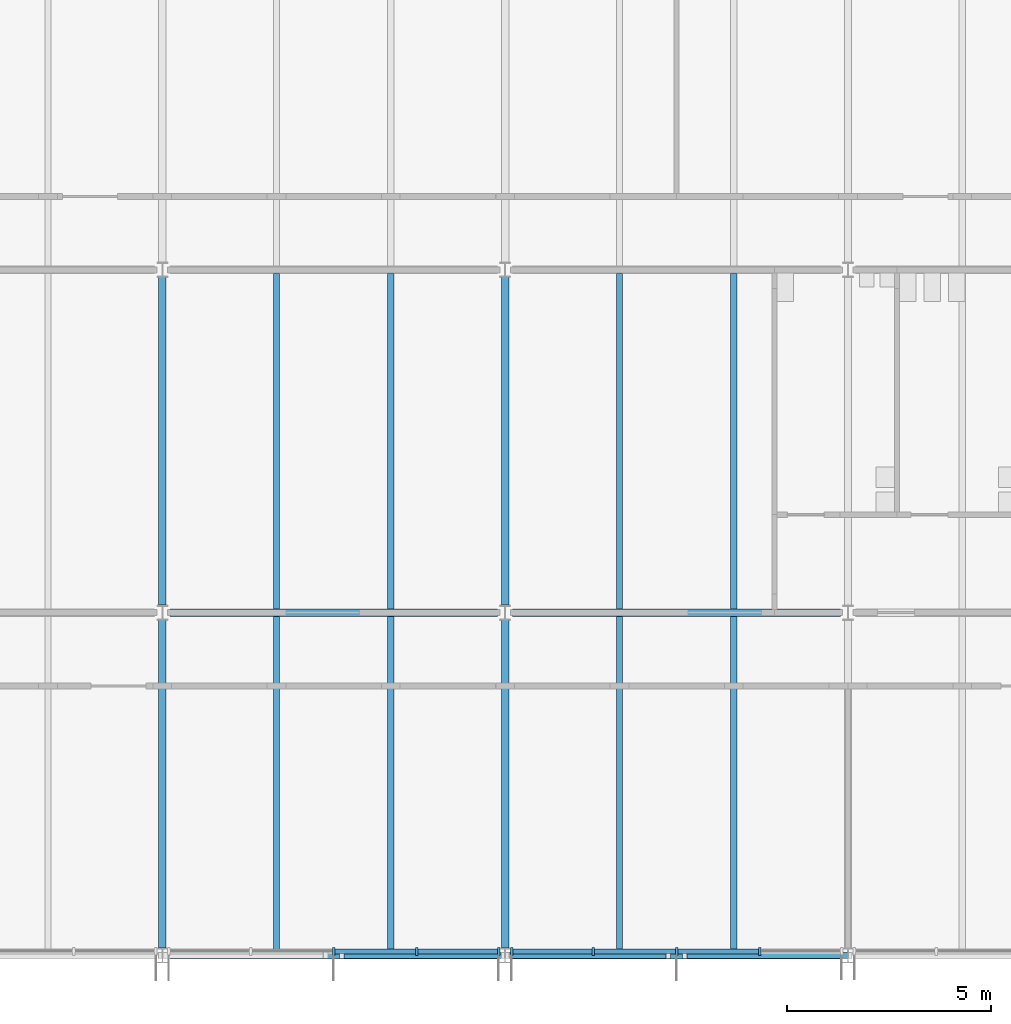
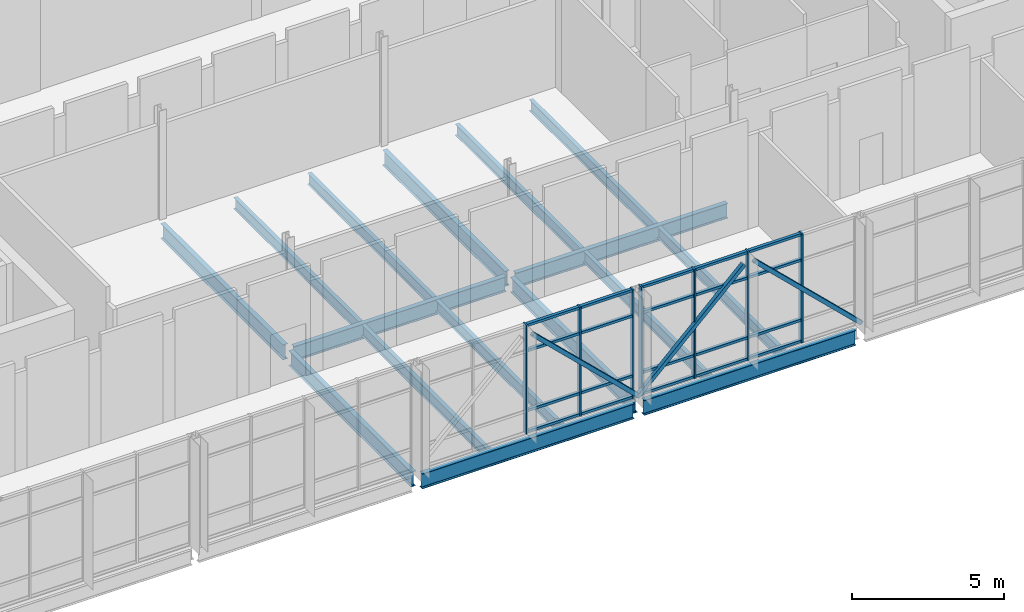
# One storey, part 12 of 72: 30 members, 16 beams, 2 elements without a shape of their own.
"""IFC4 building model written with IfcOpenShell, lengths in metres."""

import ifcopenshell
import ifcopenshell.guid

model = None  # the IFC model being written
_history = None  # IfcOwnerHistory: only IFC2X3 demands one
_inside = {}  # id of a spatial element -> (the spatial element, [elements in it])
_under = {}  # id of a project, library or spatial element -> (it, [spatial elements below it])
_declared = {}  # id of a project -> (the project, [libraries it declares])
_typed = {}  # id of a type object -> (the type object, [elements of that type])
_made_of = {}  # id of a material, layer set ... -> (it, [elements and type objects made of it])


def new_model(schema):
    """Start an empty IFC model of exactly this schema.

    Asked for "IFC4X3", IfcOpenShell would pick the latest addendum, in which some entities
    have other attributes; the version numbers below select the first issue.
    IFC2X3 requires an IfcOwnerHistory on every rooted entity: one is made here for all.
    """
    global model, _history
    if schema == "IFC4X3":
        model = ifcopenshell.file(schema_version=(4, 3, 0, 0))
    else:
        model = ifcopenshell.file(schema=schema)
    _inside.clear()
    _under.clear()
    _declared.clear()
    _typed.clear()
    _made_of.clear()
    _history = None
    if model.schema == "IFC2X3":
        org = make("IfcOrganization", Name="unknown")
        user = make(
            "IfcPersonAndOrganization",
            ThePerson=make("IfcPerson", FamilyName="unknown"),
            TheOrganization=org,
        )
        app = make(
            "IfcApplication",
            ApplicationDeveloper=org,
            Version="unknown",
            ApplicationFullName="unknown",
            ApplicationIdentifier="unknown",
        )
        _history = make(
            "IfcOwnerHistory",
            OwningUser=user,
            OwningApplication=app,
            ChangeAction="ADDED",
            CreationDate=0,
        )
    return model


def make(cls, **values):
    """One entity of the class cls with the attributes given. An attribute that is None is left unset."""
    return model.create_entity(
        cls, **{name: value for name, value in values.items() if value is not None}
    )


def rooted(cls, **values):
    """An entity with a GlobalId (a new one), such as an element, a storey or a relation."""
    return make(cls, GlobalId=ifcopenshell.guid.new(), OwnerHistory=_history, **values)


def si_unit(unit_type, name, prefix=None):
    """IfcSIUnit, for example si_unit("LENGTHUNIT", "METRE", prefix="MILLI")."""
    return make("IfcSIUnit", UnitType=unit_type, Prefix=prefix, Name=name)


def assignment(units):
    """IfcUnitAssignment: the units of a project."""
    return None if units is None else make("IfcUnitAssignment", Units=units)


def point(xyz):
    """IfcCartesianPoint."""
    return None if xyz is None else make("IfcCartesianPoint", Coordinates=xyz)


def direction(xyz):
    """IfcDirection."""
    return None if xyz is None else make("IfcDirection", DirectionRatios=xyz)


def frame(location, z_axis=None, x_axis=None):
    """IfcAxis2Placement3D, a coordinate frame: its origin and axes. An axis left out is left unset."""
    return make(
        "IfcAxis2Placement3D",
        Location=point(location),
        Axis=direction(z_axis),
        RefDirection=direction(x_axis),
    )


def frame_2d(location, x_axis=None):
    """IfcAxis2Placement2D, a coordinate frame in the plane: its origin and x axis."""
    return make(
        "IfcAxis2Placement2D", Location=point(location), RefDirection=direction(x_axis)
    )


def origin():
    """The frame at (0, 0, 0) with its axes left unset."""
    return frame((0.0, 0.0, 0.0))


def origin_2d():
    """The frame at (0, 0) in the plane with its x axis left unset."""
    return frame_2d((0.0, 0.0))


def place(relative_to, where):
    """IfcLocalPlacement: puts the frame where relative to a parent placement (None: the world)."""
    return make(
        "IfcLocalPlacement", PlacementRelTo=relative_to, RelativePlacement=where
    )


def context(
    kind, dimensions, precision=None, world=None, true_north=None, identifier=None
):
    """IfcGeometricRepresentationContext, for example the 3D "Model" context."""
    return make(
        "IfcGeometricRepresentationContext",
        ContextIdentifier=identifier,
        ContextType=kind,
        CoordinateSpaceDimension=dimensions,
        Precision=precision,
        WorldCoordinateSystem=world,
        TrueNorth=true_north,
    )


def subcontext(parent, identifier, kind, view, scale=None):
    """IfcGeometricRepresentationSubContext, for example "Body" below "Model"."""
    return make(
        "IfcGeometricRepresentationSubContext",
        ContextIdentifier=identifier,
        ContextType=kind,
        ParentContext=parent,
        TargetScale=scale,
        TargetView=view,
    )


def project(units=None, contexts=None):
    """IfcProject with its units and contexts."""
    return rooted(
        "IfcProject",
        Name="project",
        RepresentationContexts=contexts,
        UnitsInContext=assignment(units),
    )


def spatial(cls, under=None, at=None, **own):
    """A site, building, storey or space (cls), placed at a placement, below another one or the project."""
    s = rooted(cls, ObjectPlacement=at, **own)
    if under is not None:
        _under.setdefault(under.id(), (under, []))[1].append(s)
    return s


def profile(cls, at=None, kind="AREA", **sizes):
    """A parametric profile (cls). Its sizes go by their IFC names, for example OverallWidth=200.0."""
    return make(cls, ProfileType=kind, Position=at, **sizes)


def rectangle(**sizes):
    """IfcRectangleProfileDef."""
    return profile("IfcRectangleProfileDef", **sizes)


def hollow_rectangle(**sizes):
    """IfcRectangleHollowProfileDef."""
    return profile("IfcRectangleHollowProfileDef", **sizes)


def i_section(**sizes):
    """IfcIShapeProfileDef."""
    return profile("IfcIShapeProfileDef", **sizes)


def extrude(swept, where, along, depth):
    """IfcExtrudedAreaSolid: the profile swept, set in the frame where, extruded along a direction by depth."""
    return make(
        "IfcExtrudedAreaSolid",
        SweptArea=swept,
        Position=where,
        ExtrudedDirection=direction(along),
        Depth=depth,
    )


def shape(context_of_items, identifier, shape_type, items):
    """IfcShapeRepresentation: the items that make up one representation, for example the "Body"."""
    return make(
        "IfcShapeRepresentation",
        ContextOfItems=context_of_items,
        RepresentationIdentifier=identifier,
        RepresentationType=shape_type,
        Items=items,
    )


def material(Name=None, Category=None):
    """IfcMaterial."""
    return make("IfcMaterial", Name=Name, Category=Category)


def material_profile(
    of_material, cross_section, Name=None, Category=None, Priority=None
):
    """IfcMaterialProfile: a cross section and its material."""
    return make(
        "IfcMaterialProfile",
        Name=Name,
        Material=of_material,
        Profile=cross_section,
        Priority=Priority,
        Category=Category,
    )


def profile_set(profiles, Name=None, composite=None):
    """IfcMaterialProfileSet."""
    return make(
        "IfcMaterialProfileSet",
        Name=Name,
        MaterialProfiles=profiles,
        CompositeProfile=composite,
    )


def made_of(thing, what):
    """Note that an element or type object is made of a material, layer set ...; save() writes the relation."""
    if what is not None:
        _made_of.setdefault(what.id(), (what, []))[1].append(thing)
    return thing


def type_object(cls, material=None, **own):
    """A type object (cls), such as IfcWallType, which elements share."""
    return made_of(rooted(cls, **own), material)


def element(
    cls,
    number,
    at=None,
    inside=None,
    cuts=None,
    type_object=None,
    material=None,
    context=None,
    identifier="Body",
    shape_type=None,
    held_by="IfcProductDefinitionShape",
    body=None,
    shapes=None,
    **own,
):
    """One element of the class cls, such as IfcWall. Its Tag is "e" and its number.

    at: its placement. inside: the storey or other place that contains it. cuts: it is an
    opening in that element (IfcRelVoidsElement). A single representation is given by context,
    identifier, shape_type and body (its items); several are given by shapes. held_by: the class
    of the entity that holds the representations. save() writes the other relations.
    """
    e = rooted(cls, Tag="e%d" % number, ObjectPlacement=at, **own)
    if body is not None:
        shapes = [shape(context, identifier, shape_type, body)]
    if shapes is not None:
        e.Representation = make(held_by, Representations=shapes)
    if inside is not None:
        _inside.setdefault(inside.id(), (inside, []))[1].append(e)
    if cuts is not None:
        rooted(
            "IfcRelVoidsElement", RelatingBuildingElement=cuts, RelatedOpeningElement=e
        )
    if type_object is not None:
        _typed.setdefault(type_object.id(), (type_object, []))[1].append(e)
    return made_of(e, material)


def aggregate(whole, parts):
    """IfcRelAggregates: a whole, such as a stair, and the parts it consists of."""
    return rooted("IfcRelAggregates", RelatingObject=whole, RelatedObjects=parts)


def save(model, path):
    """Write the relations noted so far, then the file.

    IfcRelAggregates (storeys below a building ...), IfcRelContainedInSpatialStructure (elements
    in a storey), IfcRelDefinesByType, IfcRelAssociatesMaterial and IfcRelDeclares: one each for
    every whole, place, type object, material and project.
    """
    for whole, parts in _under.values():
        aggregate(whole, parts)
    for where, things in _inside.values():
        rooted(
            "IfcRelContainedInSpatialStructure",
            RelatedElements=things,
            RelatingStructure=where,
        )
    for kind, things in _typed.values():
        rooted("IfcRelDefinesByType", RelatedObjects=things, RelatingType=kind)
    for what, things in _made_of.values():
        rooted("IfcRelAssociatesMaterial", RelatedObjects=things, RelatingMaterial=what)
    for by, libraries in _declared.values():
        rooted("IfcRelDeclares", RelatingContext=by, RelatedDefinitions=libraries)
    model.write(path)


model = new_model("IFC4")

# Units and contexts
model_context = context("Model", 3, precision=1e-05, world=origin(), true_north=direction((0.0, 1.0)))
body_context = subcontext(model_context, "Body", "Model", "MODEL_VIEW")
ifc_project = project(units=[si_unit("LENGTHUNIT", "METRE"), si_unit("AREAUNIT", "SQUARE_METRE"), si_unit("VOLUMEUNIT", "CUBIC_METRE"), si_unit("PLANEANGLEUNIT", "RADIAN"), si_unit("MASSUNIT", "GRAM", prefix="KILO")], contexts=[model_context])

# Site, building, storey
site_placement = place(None, origin())
site = spatial("IfcSite", under=ifc_project, at=site_placement, CompositionType="ELEMENT")
building_placement = place(site_placement, origin())
building = spatial("IfcBuilding", under=site, at=building_placement, Name="Hlaing Beacon Police Headquarters", CompositionType="ELEMENT")
storey_placement = place(building_placement, frame((0.0, 0.0, 14.39990234375)))
storey = spatial("IfcBuildingStorey", under=building, at=storey_placement, Name="L03", CompositionType="ELEMENT", Elevation=14.39990234375)

# Members
ifc_material_1 = material(Name="Steel ASTM A500 Grade C", Category="steel")
ifc_material_profile_1 = material_profile(ifc_material_1, hollow_rectangle(XDim=0.15234375, YDim=0.15234375, WallThickness=0.009521484375, at=origin_2d()), Name="HSS6x6x3/8")
ifc_profile_set_1 = profile_set([ifc_material_profile_1], Name="Steel ASTM A500 Grade C")
member_type_1 = type_object("IfcMemberType", Name="Chevron brace HSS6x6x3/8", PredefinedType="BRACE", material=ifc_profile_set_1)
member_1_placement = place(storey_placement, frame((33.64404296875, 8.39990234375, 0.05517578125), z_axis=(-0.719983903196, 0.0, 0.693990763006), x_axis=(0.0, -1.0, 0.0)))
element("IfcMember", 1, at=member_1_placement, inside=storey, type_object=member_type_1, Name="STR-BR-L03-2Db", PredefinedType="BRACE", context=body_context, shape_type="SweptSolid", body=[
    extrude(hollow_rectangle(XDim=0.15234375, YDim=0.15234375, WallThickness=0.009521484375, at=origin_2d()), origin(), (0.0, 0.0, 1.0), 5.61669921875),
])
member_2_placement = place(storey_placement, frame((33.555908203125, 8.39990234375, 0.05517578125), z_axis=(0.720004836827, 0.0, 0.693969044659), x_axis=(0.0, 1.0, 0.0)))
element("IfcMember", 2, at=member_2_placement, inside=storey, type_object=member_type_1, Name="STR-BR-L03-2Ea", PredefinedType="BRACE", context=body_context, shape_type="SweptSolid", body=[
    extrude(hollow_rectangle(XDim=0.15234375, YDim=0.15234375, WallThickness=0.009521484375, at=origin_2d()), origin(), (0.0, 0.0, 1.0), 5.616943359375),
])
member_3_placement = place(storey_placement, frame((42.0439453125, 8.39990234375, 0.05517578125), z_axis=(-0.719983903196, 0.0, 0.693990763006), x_axis=(0.0, -1.0, 0.0)))
element("IfcMember", 3, at=member_3_placement, inside=storey, type_object=member_type_1, Name="STR-BR-L03-2Eb", PredefinedType="BRACE", context=body_context, shape_type="SweptSolid", body=[
    extrude(hollow_rectangle(XDim=0.15234375, YDim=0.15234375, WallThickness=0.009521484375, at=origin_2d()), origin(), (0.0, 0.0, 1.0), 5.61669921875),
])

# Beams
ifc_material_2 = material(Name="Steel ASTM A992 Grade 50", Category="steel")
ifc_material_profile_2 = material_profile(ifc_material_2, i_section(OverallWidth=0.177978515625, OverallDepth=0.599365234375, WebThickness=0.010009765625, FlangeThickness=0.012939453125, FilletRadius=0.012939453125, at=origin_2d()), Name="W24x55")
ifc_profile_set_2 = profile_set([ifc_material_profile_2], Name="Steel ASTM A992 Grade 50")
beam_type_1 = type_object("IfcBeamType", Name="Girder W24x55", PredefinedType="BEAM", material=ifc_profile_set_2)
for number, where, z_axis, x_axis, name in (
    (4, (25.385009765625, 16.800048828125, -0.4296875), (1.0, 0.0, 0.0), (0.0, 1.0, 0.0), "STR-BM-L03-GX-D3-E3"),
    (5, (33.784912109375, 16.800048828125, -0.4296875), (1.0, 0.0, 0.0), (0.0, 1.0, 0.0), "STR-BM-L03-GX-E3-F3"),
):
    element("IfcBeam", number, at=place(storey_placement, frame(where, z_axis=z_axis, x_axis=x_axis)), inside=storey, type_object=beam_type_1, Name=name, PredefinedType="BEAM", context=body_context, shape_type="SweptSolid", body=[
        extrude(i_section(OverallWidth=0.177978515625, OverallDepth=0.599365234375, WebThickness=0.010009765625, FlangeThickness=0.012939453125, FilletRadius=0.012939453125, at=origin_2d()), origin(), (0.0, 0.0, 1.0), 8.030029296875),
    ])
beam_1_placement = place(storey_placement, frame((25.199951171875, 8.580078125, -0.4296875), z_axis=(0.0, 1.0, 0.0), x_axis=(-1.0, 0.0, 0.0)))
element("IfcBeam", 6, at=beam_1_placement, inside=storey, type_object=beam_type_1, Name="STR-BM-L03-GY-D2-D3", PredefinedType="BEAM", context=body_context, shape_type="SweptSolid", body=[
    extrude(i_section(OverallWidth=0.177978515625, OverallDepth=0.599365234375, WebThickness=0.010009765625, FlangeThickness=0.012939453125, FilletRadius=0.012939453125, at=origin_2d()), origin(), (0.0, 0.0, 1.0), 8.037841796875),
])
beam_2_placement = place(storey_placement, frame((25.199951171875, 16.98193359375, -0.4296875), z_axis=(0.0, 1.0, 0.0), x_axis=(-1.0, 0.0, 0.0)))
element("IfcBeam", 7, at=beam_2_placement, inside=storey, type_object=beam_type_1, Name="STR-BM-L03-GY-D3-D4", PredefinedType="BEAM", context=body_context, shape_type="SweptSolid", body=[
    extrude(i_section(OverallWidth=0.177978515625, OverallDepth=0.599365234375, WebThickness=0.010009765625, FlangeThickness=0.012939453125, FilletRadius=0.012939453125, at=origin_2d()), origin(), (0.0, 0.0, 1.0), 8.0361328125),
])
beam_3_placement = place(storey_placement, frame((33.60009765625, 8.580078125, -0.4296875), z_axis=(0.0, 1.0, 0.0), x_axis=(-1.0, 0.0, 0.0)))
element("IfcBeam", 8, at=beam_3_placement, inside=storey, type_object=beam_type_1, Name="STR-BM-L03-GY-E2-E3", PredefinedType="BEAM", context=body_context, shape_type="SweptSolid", body=[
    extrude(i_section(OverallWidth=0.177978515625, OverallDepth=0.599365234375, WebThickness=0.010009765625, FlangeThickness=0.012939453125, FilletRadius=0.012939453125, at=origin_2d()), origin(), (0.0, 0.0, 1.0), 8.037841796875),
])
beam_4_placement = place(storey_placement, frame((33.60009765625, 16.98193359375, -0.4296875), z_axis=(0.0, 1.0, 0.0), x_axis=(-1.0, 0.0, 0.0)))
element("IfcBeam", 9, at=beam_4_placement, inside=storey, type_object=beam_type_1, Name="STR-BM-L03-GY-E3-E4", PredefinedType="BEAM", context=body_context, shape_type="SweptSolid", body=[
    extrude(i_section(OverallWidth=0.177978515625, OverallDepth=0.599365234375, WebThickness=0.010009765625, FlangeThickness=0.012939453125, FilletRadius=0.012939453125, at=origin_2d()), origin(), (0.0, 0.0, 1.0), 8.0361328125),
])
ifc_material_3 = material(Name="Steel ASTM A992 Grade 50", Category="steel")
ifc_material_profile_3 = material_profile(ifc_material_3, i_section(OverallWidth=0.1787109375, OverallDepth=0.60205078125, WebThickness=0.010986328125, FlangeThickness=0.014892578125, FilletRadius=0.0126953125, at=origin_2d()), Name="W24x62")
ifc_profile_set_3 = profile_set([ifc_material_profile_3], Name="Steel ASTM A992 Grade 50")
beam_type_2 = type_object("IfcBeamType", Name="Girder W24x62", PredefinedType="BEAM", material=ifc_profile_set_3)
for number, where, z_axis, x_axis, name in (
    (10, (25.385009765625, 8.39990234375, -0.430908203125), (1.0, 0.0, 0.0), (0.0, 1.0, 0.0), "STR-BM-L03-GX-D2-E2"),
    (11, (33.784912109375, 8.39990234375, -0.430908203125), (1.0, 0.0, 0.0), (0.0, 1.0, 0.0), "STR-BM-L03-GX-E2-F2"),
):
    element("IfcBeam", number, at=place(storey_placement, frame(where, z_axis=z_axis, x_axis=x_axis)), inside=storey, type_object=beam_type_2, Name=name, PredefinedType="BEAM", context=body_context, shape_type="SweptSolid", body=[
        extrude(i_section(OverallWidth=0.1787109375, OverallDepth=0.60205078125, WebThickness=0.010986328125, FlangeThickness=0.014892578125, FilletRadius=0.0126953125, at=origin_2d()), origin(), (0.0, 0.0, 1.0), 8.030029296875),
    ])

# Curtain wall, members
ifc_material_4 = material(Name="Aluminium frame with solar control glazing", Category="aluminium")
curtain_wall_type = type_object("IfcCurtainWallType", Name="Unitised curtain wall 8.14 x 4.37", PredefinedType="NOTDEFINED", material=ifc_material_4)
curtain_wall_1_placement = place(storey_placement, origin())
curtain_wall_1 = element("IfcCurtainWall", 12, at=curtain_wall_1_placement, inside=storey, type_object=curtain_wall_type, Name="ENV-CW-L03-S017", PredefinedType="NOTDEFINED")
ifc_material_5 = material(Name="Aluminium", Category="aluminium")
ifc_material_profile_4 = material_profile(ifc_material_5, rectangle(XDim=0.199951171875, YDim=0.06005859375, at=origin_2d()), Name="Mullion 60x200")
ifc_profile_set_4 = profile_set([ifc_material_profile_4], Name="Aluminium")
member_type_2 = type_object("IfcMemberType", Name="Mullion 60x200", PredefinedType="MULLION", material=ifc_profile_set_4)
member_4_placement = place(storey_placement, frame((29.39990234375, 8.5, 0.0), z_axis=(0.0, 0.0, 1.0), x_axis=(0.0, 1.0, 0.0)))
member_4 = element("IfcMember", 13, at=member_4_placement, type_object=member_type_2, Name="CW-L03-S017 mullion 3", PredefinedType="MULLION", context=body_context, shape_type="SweptSolid", body=[
    extrude(rectangle(XDim=0.199951171875, YDim=0.06005859375, at=origin_2d()), origin(), (0.0, 0.0, 1.0), 4.3701171875),
])
member_5_placement = place(storey_placement, frame((31.435791015625, 8.5, 0.0), z_axis=(0.0, 0.0, 1.0), x_axis=(0.0, 1.0, 0.0)))
member_5 = element("IfcMember", 14, at=member_5_placement, type_object=member_type_2, Name="CW-L03-S017 mullion 4", PredefinedType="MULLION", context=body_context, shape_type="SweptSolid", body=[
    extrude(rectangle(XDim=0.199951171875, YDim=0.06005859375, at=origin_2d()), origin(), (0.0, 0.0, 1.0), 4.3701171875),
])
member_6_placement = place(storey_placement, frame((33.441650390625, 8.5, 0.0), z_axis=(0.0, 0.0, 1.0), x_axis=(0.0, 1.0, 0.0)))
member_6 = element("IfcMember", 15, at=member_6_placement, type_object=member_type_2, Name="CW-L03-S017 mullion 5", PredefinedType="MULLION", context=body_context, shape_type="SweptSolid", body=[
    extrude(rectangle(XDim=0.199951171875, YDim=0.06005859375, at=origin_2d()), origin(), (0.0, 0.0, 1.0), 4.3701171875),
])

curtain_wall_2_placement = place(storey_placement, origin())
curtain_wall_2 = element("IfcCurtainWall", 16, at=curtain_wall_2_placement, inside=storey, type_object=curtain_wall_type, Name="ENV-CW-L03-S018", PredefinedType="NOTDEFINED")
member_7_placement = place(storey_placement, frame((33.75830078125, 8.5, 0.0), z_axis=(0.0, 0.0, 1.0), x_axis=(0.0, 1.0, 0.0)))
member_7 = element("IfcMember", 17, at=member_7_placement, type_object=member_type_2, Name="CW-L03-S018 mullion 1", PredefinedType="MULLION", context=body_context, shape_type="SweptSolid", body=[
    extrude(rectangle(XDim=0.199951171875, YDim=0.06005859375, at=origin_2d()), origin(), (0.0, 0.0, 1.0), 4.3701171875),
])
member_8_placement = place(storey_placement, frame((35.76416015625, 8.5, 0.0), z_axis=(0.0, 0.0, 1.0), x_axis=(0.0, 1.0, 0.0)))
member_8 = element("IfcMember", 18, at=member_8_placement, type_object=member_type_2, Name="CW-L03-S018 mullion 2", PredefinedType="MULLION", context=body_context, shape_type="SweptSolid", body=[
    extrude(rectangle(XDim=0.199951171875, YDim=0.06005859375, at=origin_2d()), origin(), (0.0, 0.0, 1.0), 4.3701171875),
])
member_9_placement = place(storey_placement, frame((37.800048828125, 8.5, 0.0), z_axis=(0.0, 0.0, 1.0), x_axis=(0.0, 1.0, 0.0)))
member_9 = element("IfcMember", 19, at=member_9_placement, type_object=member_type_2, Name="CW-L03-S018 mullion 3", PredefinedType="MULLION", context=body_context, shape_type="SweptSolid", body=[
    extrude(rectangle(XDim=0.199951171875, YDim=0.06005859375, at=origin_2d()), origin(), (0.0, 0.0, 1.0), 4.3701171875),
])
member_10_placement = place(storey_placement, frame((39.8359375, 8.5, 0.0), z_axis=(0.0, 0.0, 1.0), x_axis=(0.0, 1.0, 0.0)))
member_10 = element("IfcMember", 20, at=member_10_placement, type_object=member_type_2, Name="CW-L03-S018 mullion 4", PredefinedType="MULLION", context=body_context, shape_type="SweptSolid", body=[
    extrude(rectangle(XDim=0.199951171875, YDim=0.06005859375, at=origin_2d()), origin(), (0.0, 0.0, 1.0), 4.3701171875),
])

# Beams
ifc_material_6 = material(Name="Steel ASTM A992 Grade 50", Category="steel")
ifc_material_profile_5 = material_profile(ifc_material_6, i_section(OverallWidth=0.15234375, OverallDepth=0.449462890625, WebThickness=0.007568359375, FlangeThickness=0.0107421875, FilletRadius=0.01025390625, at=origin_2d()), Name="W18x35")
ifc_profile_set_5 = profile_set([ifc_material_profile_5], Name="Steel ASTM A992 Grade 50")
beam_type_3 = type_object("IfcBeamType", Name="Secondary beam W18x35", PredefinedType="BEAM", material=ifc_profile_set_5)
for number, where, z_axis, x_axis, name in (
    (21, (28.0, 8.489013671875, -0.354736328125), (0.0, 1.0, 0.0), (-1.0, 0.0, 0.0), "STR-BM-L03-SB-D2-y1"),
    (22, (30.800048828125, 8.489013671875, -0.354736328125), (0.0, 1.0, 0.0), (-1.0, 0.0, 0.0), "STR-BM-L03-SB-D2-y2"),
):
    element("IfcBeam", number, at=place(storey_placement, frame(where, z_axis=z_axis, x_axis=x_axis)), inside=storey, type_object=beam_type_3, Name=name, PredefinedType="BEAM", context=body_context, shape_type="SweptSolid", body=[
        extrude(i_section(OverallWidth=0.15234375, OverallDepth=0.449462890625, WebThickness=0.007568359375, FlangeThickness=0.0107421875, FilletRadius=0.01025390625, at=origin_2d()), origin(), (0.0, 0.0, 1.0), 8.221923828125),
    ])
for number, where, z_axis, x_axis, name in (
    (23, (28.0, 16.888916015625, -0.354736328125), (0.0, 1.0, 0.0), (-1.0, 0.0, 0.0), "STR-BM-L03-SB-D3-y1"),
    (24, (30.800048828125, 16.888916015625, -0.354736328125), (0.0, 1.0, 0.0), (-1.0, 0.0, 0.0), "STR-BM-L03-SB-D3-y2"),
):
    element("IfcBeam", number, at=place(storey_placement, frame(where, z_axis=z_axis, x_axis=x_axis)), inside=storey, type_object=beam_type_3, Name=name, PredefinedType="BEAM", context=body_context, shape_type="SweptSolid", body=[
        extrude(i_section(OverallWidth=0.15234375, OverallDepth=0.449462890625, WebThickness=0.007568359375, FlangeThickness=0.0107421875, FilletRadius=0.01025390625, at=origin_2d()), origin(), (0.0, 0.0, 1.0), 8.22216796875),
    ])
for number, where, z_axis, x_axis, name in (
    (25, (36.39990234375, 8.489013671875, -0.354736328125), (0.0, 1.0, 0.0), (-1.0, 0.0, 0.0), "STR-BM-L03-SB-E2-y1"),
    (26, (39.199951171875, 8.489013671875, -0.354736328125), (0.0, 1.0, 0.0), (-1.0, 0.0, 0.0), "STR-BM-L03-SB-E2-y2"),
):
    element("IfcBeam", number, at=place(storey_placement, frame(where, z_axis=z_axis, x_axis=x_axis)), inside=storey, type_object=beam_type_3, Name=name, PredefinedType="BEAM", context=body_context, shape_type="SweptSolid", body=[
        extrude(i_section(OverallWidth=0.15234375, OverallDepth=0.449462890625, WebThickness=0.007568359375, FlangeThickness=0.0107421875, FilletRadius=0.01025390625, at=origin_2d()), origin(), (0.0, 0.0, 1.0), 8.221923828125),
    ])
for number, where, z_axis, x_axis, name in (
    (27, (36.39990234375, 16.888916015625, -0.354736328125), (0.0, 1.0, 0.0), (-1.0, 0.0, 0.0), "STR-BM-L03-SB-E3-y1"),
    (28, (39.199951171875, 16.888916015625, -0.354736328125), (0.0, 1.0, 0.0), (-1.0, 0.0, 0.0), "STR-BM-L03-SB-E3-y2"),
):
    element("IfcBeam", number, at=place(storey_placement, frame(where, z_axis=z_axis, x_axis=x_axis)), inside=storey, type_object=beam_type_3, Name=name, PredefinedType="BEAM", context=body_context, shape_type="SweptSolid", body=[
        extrude(i_section(OverallWidth=0.15234375, OverallDepth=0.449462890625, WebThickness=0.007568359375, FlangeThickness=0.0107421875, FilletRadius=0.01025390625, at=origin_2d()), origin(), (0.0, 0.0, 1.0), 8.22216796875),
    ])

# Member
ifc_material_7 = material(Name="Aluminium", Category="aluminium")
ifc_material_profile_6 = material_profile(ifc_material_7, rectangle(XDim=0.1201171875, YDim=0.10009765625, at=origin_2d()), Name="Transom 120x100")
ifc_profile_set_6 = profile_set([ifc_material_profile_6], Name="Aluminium")
member_type_3 = type_object("IfcMemberType", Name="Transom 120x100", PredefinedType="USERDEFINED", material=ifc_profile_set_6)
member_11_placement = place(storey_placement, frame((29.429931640625, 8.5, 0.050048828125), z_axis=(1.0, 0.0, 0.0), x_axis=(0.0, 1.0, 0.0)))
member_11 = element("IfcMember", 29, at=member_11_placement, type_object=member_type_3, Name="CW-L03-S017 transom 3.1", ObjectType="TRANSOM", PredefinedType="USERDEFINED", context=body_context, shape_type="SweptSolid", body=[
    extrude(rectangle(XDim=0.1201171875, YDim=0.10009765625, at=origin_2d()), origin(), (0.0, 0.0, 1.0), 1.975830078125),
])

member_12_placement = place(storey_placement, frame((29.429931640625, 8.5, 0.900146484375), z_axis=(1.0, 0.0, 0.0), x_axis=(0.0, 1.0, 0.0)))
member_12 = element("IfcMember", 30, at=member_12_placement, type_object=member_type_3, Name="CW-L03-S017 transom 3.2", ObjectType="TRANSOM", PredefinedType="USERDEFINED", context=body_context, shape_type="SweptSolid", body=[
    extrude(rectangle(XDim=0.1201171875, YDim=0.10009765625, at=origin_2d()), origin(), (0.0, 0.0, 1.0), 1.975830078125),
])

member_13_placement = place(storey_placement, frame((29.429931640625, 8.5, 3.300048828125), z_axis=(1.0, 0.0, 0.0), x_axis=(0.0, 1.0, 0.0)))
member_13 = element("IfcMember", 31, at=member_13_placement, type_object=member_type_3, Name="CW-L03-S017 transom 3.3", ObjectType="TRANSOM", PredefinedType="USERDEFINED", context=body_context, shape_type="SweptSolid", body=[
    extrude(rectangle(XDim=0.1201171875, YDim=0.10009765625, at=origin_2d()), origin(), (0.0, 0.0, 1.0), 1.975830078125),
])

member_14_placement = place(storey_placement, frame((29.429931640625, 8.5, 4.320068359375), z_axis=(1.0, 0.0, 0.0), x_axis=(0.0, 1.0, 0.0)))
member_14 = element("IfcMember", 32, at=member_14_placement, type_object=member_type_3, Name="CW-L03-S017 transom 3.4", ObjectType="TRANSOM", PredefinedType="USERDEFINED", context=body_context, shape_type="SweptSolid", body=[
    extrude(rectangle(XDim=0.1201171875, YDim=0.10009765625, at=origin_2d()), origin(), (0.0, 0.0, 1.0), 1.975830078125),
])

member_15_placement = place(storey_placement, frame((31.4658203125, 8.5, 0.050048828125), z_axis=(1.0, 0.0, 0.0), x_axis=(0.0, 1.0, 0.0)))
member_15 = element("IfcMember", 33, at=member_15_placement, type_object=member_type_3, Name="CW-L03-S017 transom 4.1", ObjectType="TRANSOM", PredefinedType="USERDEFINED", context=body_context, shape_type="SweptSolid", body=[
    extrude(rectangle(XDim=0.1201171875, YDim=0.10009765625, at=origin_2d()), origin(), (0.0, 0.0, 1.0), 1.94580078125),
])

member_16_placement = place(storey_placement, frame((31.4658203125, 8.5, 0.900146484375), z_axis=(1.0, 0.0, 0.0), x_axis=(0.0, 1.0, 0.0)))
member_16 = element("IfcMember", 34, at=member_16_placement, type_object=member_type_3, Name="CW-L03-S017 transom 4.2", ObjectType="TRANSOM", PredefinedType="USERDEFINED", context=body_context, shape_type="SweptSolid", body=[
    extrude(rectangle(XDim=0.1201171875, YDim=0.10009765625, at=origin_2d()), origin(), (0.0, 0.0, 1.0), 1.94580078125),
])

member_17_placement = place(storey_placement, frame((31.4658203125, 8.5, 3.300048828125), z_axis=(1.0, 0.0, 0.0), x_axis=(0.0, 1.0, 0.0)))
member_17 = element("IfcMember", 35, at=member_17_placement, type_object=member_type_3, Name="CW-L03-S017 transom 4.3", ObjectType="TRANSOM", PredefinedType="USERDEFINED", context=body_context, shape_type="SweptSolid", body=[
    extrude(rectangle(XDim=0.1201171875, YDim=0.10009765625, at=origin_2d()), origin(), (0.0, 0.0, 1.0), 1.94580078125),
])

member_18_placement = place(storey_placement, frame((31.4658203125, 8.5, 4.320068359375), z_axis=(1.0, 0.0, 0.0), x_axis=(0.0, 1.0, 0.0)))
member_18 = element("IfcMember", 36, at=member_18_placement, type_object=member_type_3, Name="CW-L03-S017 transom 4.4", ObjectType="TRANSOM", PredefinedType="USERDEFINED", context=body_context, shape_type="SweptSolid", body=[
    extrude(rectangle(XDim=0.1201171875, YDim=0.10009765625, at=origin_2d()), origin(), (0.0, 0.0, 1.0), 1.94580078125),
])

aggregate(curtain_wall_1, [member_4, member_5, member_6, member_11, member_12, member_13, member_14, member_15, member_16, member_17, member_18])

member_19_placement = place(storey_placement, frame((33.788330078125, 8.5, 0.050048828125), z_axis=(1.0, 0.0, 0.0), x_axis=(0.0, 1.0, 0.0)))
member_19 = element("IfcMember", 37, at=member_19_placement, type_object=member_type_3, Name="CW-L03-S018 transom 1.1", ObjectType="TRANSOM", PredefinedType="USERDEFINED", context=body_context, shape_type="SweptSolid", body=[
    extrude(rectangle(XDim=0.1201171875, YDim=0.10009765625, at=origin_2d()), origin(), (0.0, 0.0, 1.0), 1.94580078125),
])

member_20_placement = place(storey_placement, frame((33.788330078125, 8.5, 0.900146484375), z_axis=(1.0, 0.0, 0.0), x_axis=(0.0, 1.0, 0.0)))
member_20 = element("IfcMember", 38, at=member_20_placement, type_object=member_type_3, Name="CW-L03-S018 transom 1.2", ObjectType="TRANSOM", PredefinedType="USERDEFINED", context=body_context, shape_type="SweptSolid", body=[
    extrude(rectangle(XDim=0.1201171875, YDim=0.10009765625, at=origin_2d()), origin(), (0.0, 0.0, 1.0), 1.94580078125),
])

member_21_placement = place(storey_placement, frame((33.788330078125, 8.5, 3.300048828125), z_axis=(1.0, 0.0, 0.0), x_axis=(0.0, 1.0, 0.0)))
member_21 = element("IfcMember", 39, at=member_21_placement, type_object=member_type_3, Name="CW-L03-S018 transom 1.3", ObjectType="TRANSOM", PredefinedType="USERDEFINED", context=body_context, shape_type="SweptSolid", body=[
    extrude(rectangle(XDim=0.1201171875, YDim=0.10009765625, at=origin_2d()), origin(), (0.0, 0.0, 1.0), 1.94580078125),
])

member_22_placement = place(storey_placement, frame((33.788330078125, 8.5, 4.320068359375), z_axis=(1.0, 0.0, 0.0), x_axis=(0.0, 1.0, 0.0)))
member_22 = element("IfcMember", 40, at=member_22_placement, type_object=member_type_3, Name="CW-L03-S018 transom 1.4", ObjectType="TRANSOM", PredefinedType="USERDEFINED", context=body_context, shape_type="SweptSolid", body=[
    extrude(rectangle(XDim=0.1201171875, YDim=0.10009765625, at=origin_2d()), origin(), (0.0, 0.0, 1.0), 1.94580078125),
])

member_23_placement = place(storey_placement, frame((35.794189453125, 8.5, 0.050048828125), z_axis=(1.0, 0.0, 0.0), x_axis=(0.0, 1.0, 0.0)))
member_23 = element("IfcMember", 41, at=member_23_placement, type_object=member_type_3, Name="CW-L03-S018 transom 2.1", ObjectType="TRANSOM", PredefinedType="USERDEFINED", context=body_context, shape_type="SweptSolid", body=[
    extrude(rectangle(XDim=0.1201171875, YDim=0.10009765625, at=origin_2d()), origin(), (0.0, 0.0, 1.0), 1.975830078125),
])

member_24_placement = place(storey_placement, frame((35.794189453125, 8.5, 0.900146484375), z_axis=(1.0, 0.0, 0.0), x_axis=(0.0, 1.0, 0.0)))
member_24 = element("IfcMember", 42, at=member_24_placement, type_object=member_type_3, Name="CW-L03-S018 transom 2.2", ObjectType="TRANSOM", PredefinedType="USERDEFINED", context=body_context, shape_type="SweptSolid", body=[
    extrude(rectangle(XDim=0.1201171875, YDim=0.10009765625, at=origin_2d()), origin(), (0.0, 0.0, 1.0), 1.975830078125),
])

member_25_placement = place(storey_placement, frame((35.794189453125, 8.5, 3.300048828125), z_axis=(1.0, 0.0, 0.0), x_axis=(0.0, 1.0, 0.0)))
member_25 = element("IfcMember", 43, at=member_25_placement, type_object=member_type_3, Name="CW-L03-S018 transom 2.3", ObjectType="TRANSOM", PredefinedType="USERDEFINED", context=body_context, shape_type="SweptSolid", body=[
    extrude(rectangle(XDim=0.1201171875, YDim=0.10009765625, at=origin_2d()), origin(), (0.0, 0.0, 1.0), 1.975830078125),
])

member_26_placement = place(storey_placement, frame((35.794189453125, 8.5, 4.320068359375), z_axis=(1.0, 0.0, 0.0), x_axis=(0.0, 1.0, 0.0)))
member_26 = element("IfcMember", 44, at=member_26_placement, type_object=member_type_3, Name="CW-L03-S018 transom 2.4", ObjectType="TRANSOM", PredefinedType="USERDEFINED", context=body_context, shape_type="SweptSolid", body=[
    extrude(rectangle(XDim=0.1201171875, YDim=0.10009765625, at=origin_2d()), origin(), (0.0, 0.0, 1.0), 1.975830078125),
])

member_27_placement = place(storey_placement, frame((37.830078125, 8.5, 0.050048828125), z_axis=(1.0, 0.0, 0.0), x_axis=(0.0, 1.0, 0.0)))
member_27 = element("IfcMember", 45, at=member_27_placement, type_object=member_type_3, Name="CW-L03-S018 transom 3.1", ObjectType="TRANSOM", PredefinedType="USERDEFINED", context=body_context, shape_type="SweptSolid", body=[
    extrude(rectangle(XDim=0.1201171875, YDim=0.10009765625, at=origin_2d()), origin(), (0.0, 0.0, 1.0), 1.975830078125),
])

member_28_placement = place(storey_placement, frame((37.830078125, 8.5, 0.900146484375), z_axis=(1.0, 0.0, 0.0), x_axis=(0.0, 1.0, 0.0)))
member_28 = element("IfcMember", 46, at=member_28_placement, type_object=member_type_3, Name="CW-L03-S018 transom 3.2", ObjectType="TRANSOM", PredefinedType="USERDEFINED", context=body_context, shape_type="SweptSolid", body=[
    extrude(rectangle(XDim=0.1201171875, YDim=0.10009765625, at=origin_2d()), origin(), (0.0, 0.0, 1.0), 1.975830078125),
])

member_29_placement = place(storey_placement, frame((37.830078125, 8.5, 3.300048828125), z_axis=(1.0, 0.0, 0.0), x_axis=(0.0, 1.0, 0.0)))
member_29 = element("IfcMember", 47, at=member_29_placement, type_object=member_type_3, Name="CW-L03-S018 transom 3.3", ObjectType="TRANSOM", PredefinedType="USERDEFINED", context=body_context, shape_type="SweptSolid", body=[
    extrude(rectangle(XDim=0.1201171875, YDim=0.10009765625, at=origin_2d()), origin(), (0.0, 0.0, 1.0), 1.975830078125),
])

member_30_placement = place(storey_placement, frame((37.830078125, 8.5, 4.320068359375), z_axis=(1.0, 0.0, 0.0), x_axis=(0.0, 1.0, 0.0)))
member_30 = element("IfcMember", 48, at=member_30_placement, type_object=member_type_3, Name="CW-L03-S018 transom 3.4", ObjectType="TRANSOM", PredefinedType="USERDEFINED", context=body_context, shape_type="SweptSolid", body=[
    extrude(rectangle(XDim=0.1201171875, YDim=0.10009765625, at=origin_2d()), origin(), (0.0, 0.0, 1.0), 1.975830078125),
])

aggregate(curtain_wall_2, [member_7, member_8, member_9, member_10, member_19, member_20, member_21, member_22, member_23, member_24, member_25, member_26, member_27, member_28, member_29, member_30])

save(model, "model.ifc")
